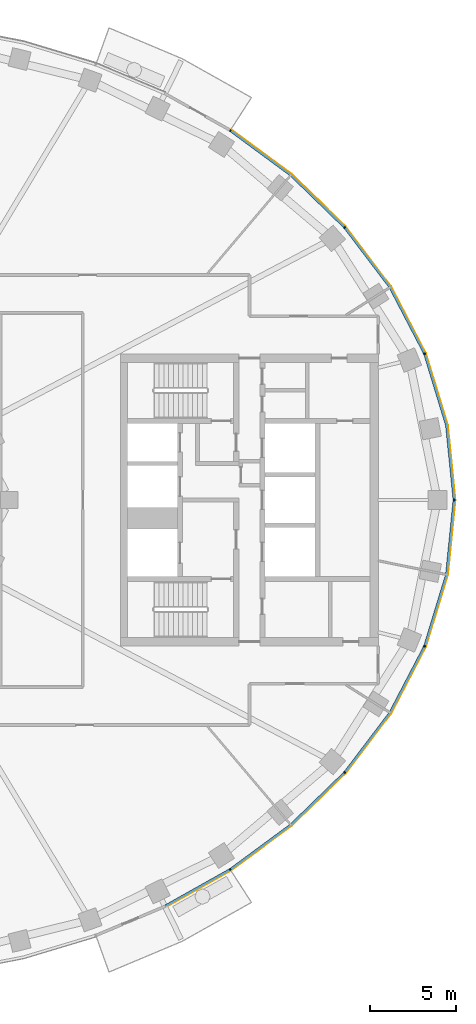
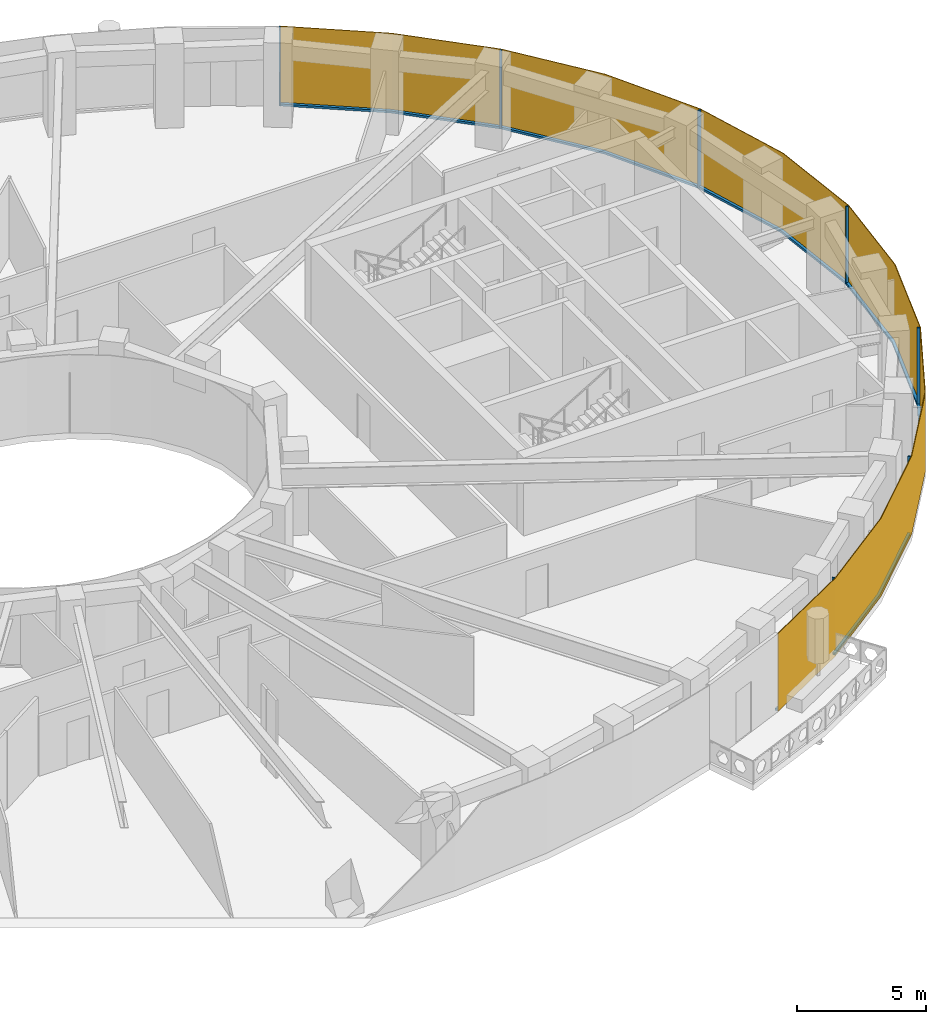
# One storey, part 11 of 15: 14 members, 1 curtain wall.
"""IFC4 building model written with IfcOpenShell, lengths in metres."""

import ifcopenshell
import ifcopenshell.guid

model = None  # the IFC model being written
_history = None  # IfcOwnerHistory: only IFC2X3 demands one
_inside = {}  # id of a spatial element -> (the spatial element, [elements in it])
_under = {}  # id of a project, library or spatial element -> (it, [spatial elements below it])
_declared = {}  # id of a project -> (the project, [libraries it declares])
_typed = {}  # id of a type object -> (the type object, [elements of that type])
_made_of = {}  # id of a material, layer set ... -> (it, [elements and type objects made of it])


def new_model(schema):
    """Start an empty IFC model of exactly this schema.

    Asked for "IFC4X3", IfcOpenShell would pick the latest addendum, in which some entities
    have other attributes; the version numbers below select the first issue.
    IFC2X3 requires an IfcOwnerHistory on every rooted entity: one is made here for all.
    """
    global model, _history
    if schema == "IFC4X3":
        model = ifcopenshell.file(schema_version=(4, 3, 0, 0))
    else:
        model = ifcopenshell.file(schema=schema)
    _inside.clear()
    _under.clear()
    _declared.clear()
    _typed.clear()
    _made_of.clear()
    _history = None
    if model.schema == "IFC2X3":
        org = make("IfcOrganization", Name="unknown")
        user = make(
            "IfcPersonAndOrganization",
            ThePerson=make("IfcPerson", FamilyName="unknown"),
            TheOrganization=org,
        )
        app = make(
            "IfcApplication",
            ApplicationDeveloper=org,
            Version="unknown",
            ApplicationFullName="unknown",
            ApplicationIdentifier="unknown",
        )
        _history = make(
            "IfcOwnerHistory",
            OwningUser=user,
            OwningApplication=app,
            ChangeAction="ADDED",
            CreationDate=0,
        )
    return model


def make(cls, **values):
    """One entity of the class cls with the attributes given. An attribute that is None is left unset."""
    return model.create_entity(
        cls, **{name: value for name, value in values.items() if value is not None}
    )


def rooted(cls, **values):
    """An entity with a GlobalId (a new one), such as an element, a storey or a relation."""
    return make(cls, GlobalId=ifcopenshell.guid.new(), OwnerHistory=_history, **values)


def si_unit(unit_type, name, prefix=None):
    """IfcSIUnit, for example si_unit("LENGTHUNIT", "METRE", prefix="MILLI")."""
    return make("IfcSIUnit", UnitType=unit_type, Prefix=prefix, Name=name)


def assignment(units):
    """IfcUnitAssignment: the units of a project."""
    return None if units is None else make("IfcUnitAssignment", Units=units)


def point(xyz):
    """IfcCartesianPoint."""
    return None if xyz is None else make("IfcCartesianPoint", Coordinates=xyz)


def direction(xyz):
    """IfcDirection."""
    return None if xyz is None else make("IfcDirection", DirectionRatios=xyz)


def frame(location, z_axis=None, x_axis=None):
    """IfcAxis2Placement3D, a coordinate frame: its origin and axes. An axis left out is left unset."""
    return make(
        "IfcAxis2Placement3D",
        Location=point(location),
        Axis=direction(z_axis),
        RefDirection=direction(x_axis),
    )


def frame_2d(location, x_axis=None):
    """IfcAxis2Placement2D, a coordinate frame in the plane: its origin and x axis."""
    return make(
        "IfcAxis2Placement2D", Location=point(location), RefDirection=direction(x_axis)
    )


def origin():
    """The frame at (0, 0, 0) with its axes left unset."""
    return frame((0.0, 0.0, 0.0))


def origin_2d():
    """The frame at (0, 0) in the plane with its x axis left unset."""
    return frame_2d((0.0, 0.0))


def place(relative_to, where):
    """IfcLocalPlacement: puts the frame where relative to a parent placement (None: the world)."""
    return make(
        "IfcLocalPlacement", PlacementRelTo=relative_to, RelativePlacement=where
    )


def context(
    kind, dimensions, precision=None, world=None, true_north=None, identifier=None
):
    """IfcGeometricRepresentationContext, for example the 3D "Model" context."""
    return make(
        "IfcGeometricRepresentationContext",
        ContextIdentifier=identifier,
        ContextType=kind,
        CoordinateSpaceDimension=dimensions,
        Precision=precision,
        WorldCoordinateSystem=world,
        TrueNorth=true_north,
    )


def subcontext(parent, identifier, kind, view, scale=None):
    """IfcGeometricRepresentationSubContext, for example "Body" below "Model"."""
    return make(
        "IfcGeometricRepresentationSubContext",
        ContextIdentifier=identifier,
        ContextType=kind,
        ParentContext=parent,
        TargetScale=scale,
        TargetView=view,
    )


def project(units=None, contexts=None):
    """IfcProject with its units and contexts."""
    return rooted(
        "IfcProject",
        Name="project",
        RepresentationContexts=contexts,
        UnitsInContext=assignment(units),
    )


def spatial(cls, under=None, at=None, **own):
    """A site, building, storey or space (cls), placed at a placement, below another one or the project."""
    s = rooted(cls, ObjectPlacement=at, **own)
    if under is not None:
        _under.setdefault(under.id(), (under, []))[1].append(s)
    return s


def polyline(points):
    """IfcPolyline through the points."""
    return make("IfcPolyline", Points=[point(p) for p in points])


def profile(cls, at=None, kind="AREA", **sizes):
    """A parametric profile (cls). Its sizes go by their IFC names, for example OverallWidth=200.0."""
    return make(cls, ProfileType=kind, Position=at, **sizes)


def rectangle(**sizes):
    """IfcRectangleProfileDef."""
    return profile("IfcRectangleProfileDef", **sizes)


def outline(outer, holes=None, kind="AREA"):
    """IfcArbitraryClosedProfileDef: a profile drawn as a closed curve; with holes, ...WithVoids."""
    if holes is None:
        return make("IfcArbitraryClosedProfileDef", ProfileType=kind, OuterCurve=outer)
    return make(
        "IfcArbitraryProfileDefWithVoids",
        ProfileType=kind,
        OuterCurve=outer,
        InnerCurves=holes,
    )


def extrude(swept, where, along, depth):
    """IfcExtrudedAreaSolid: the profile swept, set in the frame where, extruded along a direction by depth."""
    return make(
        "IfcExtrudedAreaSolid",
        SweptArea=swept,
        Position=where,
        ExtrudedDirection=direction(along),
        Depth=depth,
    )


def shape(context_of_items, identifier, shape_type, items):
    """IfcShapeRepresentation: the items that make up one representation, for example the "Body"."""
    return make(
        "IfcShapeRepresentation",
        ContextOfItems=context_of_items,
        RepresentationIdentifier=identifier,
        RepresentationType=shape_type,
        Items=items,
    )


def material(Name=None, Category=None):
    """IfcMaterial."""
    return make("IfcMaterial", Name=Name, Category=Category)


def layer(
    of_material, thickness, ventilated=None, Name=None, Category=None, Priority=None
):
    """IfcMaterialLayer: one layer of a wall or slab, of a material (None: an air gap)."""
    return make(
        "IfcMaterialLayer",
        Material=of_material,
        LayerThickness=thickness,
        IsVentilated=ventilated,
        Name=Name,
        Category=Category,
        Priority=Priority,
    )


def layer_set(layers, Name=None):
    """IfcMaterialLayerSet."""
    return make("IfcMaterialLayerSet", MaterialLayers=layers, LayerSetName=Name)


def material_profile(
    of_material, cross_section, Name=None, Category=None, Priority=None
):
    """IfcMaterialProfile: a cross section and its material."""
    return make(
        "IfcMaterialProfile",
        Name=Name,
        Material=of_material,
        Profile=cross_section,
        Priority=Priority,
        Category=Category,
    )


def profile_set(profiles, Name=None, composite=None):
    """IfcMaterialProfileSet."""
    return make(
        "IfcMaterialProfileSet",
        Name=Name,
        MaterialProfiles=profiles,
        CompositeProfile=composite,
    )


def made_of(thing, what):
    """Note that an element or type object is made of a material, layer set ...; save() writes the relation."""
    if what is not None:
        _made_of.setdefault(what.id(), (what, []))[1].append(thing)
    return thing


def type_object(cls, material=None, **own):
    """A type object (cls), such as IfcWallType, which elements share."""
    return made_of(rooted(cls, **own), material)


def element(
    cls,
    number,
    at=None,
    inside=None,
    cuts=None,
    type_object=None,
    material=None,
    context=None,
    identifier="Body",
    shape_type=None,
    held_by="IfcProductDefinitionShape",
    body=None,
    shapes=None,
    **own,
):
    """One element of the class cls, such as IfcWall. Its Tag is "e" and its number.

    at: its placement. inside: the storey or other place that contains it. cuts: it is an
    opening in that element (IfcRelVoidsElement). A single representation is given by context,
    identifier, shape_type and body (its items); several are given by shapes. held_by: the class
    of the entity that holds the representations. save() writes the other relations.
    """
    e = rooted(cls, Tag="e%d" % number, ObjectPlacement=at, **own)
    if body is not None:
        shapes = [shape(context, identifier, shape_type, body)]
    if shapes is not None:
        e.Representation = make(held_by, Representations=shapes)
    if inside is not None:
        _inside.setdefault(inside.id(), (inside, []))[1].append(e)
    if cuts is not None:
        rooted(
            "IfcRelVoidsElement", RelatingBuildingElement=cuts, RelatedOpeningElement=e
        )
    if type_object is not None:
        _typed.setdefault(type_object.id(), (type_object, []))[1].append(e)
    return made_of(e, material)


def aggregate(whole, parts):
    """IfcRelAggregates: a whole, such as a stair, and the parts it consists of."""
    return rooted("IfcRelAggregates", RelatingObject=whole, RelatedObjects=parts)


def save(model, path):
    """Write the relations noted so far, then the file.

    IfcRelAggregates (storeys below a building ...), IfcRelContainedInSpatialStructure (elements
    in a storey), IfcRelDefinesByType, IfcRelAssociatesMaterial and IfcRelDeclares: one each for
    every whole, place, type object, material and project.
    """
    for whole, parts in _under.values():
        aggregate(whole, parts)
    for where, things in _inside.values():
        rooted(
            "IfcRelContainedInSpatialStructure",
            RelatedElements=things,
            RelatingStructure=where,
        )
    for kind, things in _typed.values():
        rooted("IfcRelDefinesByType", RelatedObjects=things, RelatingType=kind)
    for what, things in _made_of.values():
        rooted("IfcRelAssociatesMaterial", RelatedObjects=things, RelatingMaterial=what)
    for by, libraries in _declared.values():
        rooted("IfcRelDeclares", RelatingContext=by, RelatedDefinitions=libraries)
    model.write(path)


model = new_model("IFC4")

# Units and contexts
model_context = context("Model", 3, precision=1e-05, world=origin(), true_north=direction((0.0, 1.0)))
body_context = subcontext(model_context, "Body", "Model", "MODEL_VIEW")
ifc_project = project(units=[si_unit("LENGTHUNIT", "METRE"), si_unit("AREAUNIT", "SQUARE_METRE"), si_unit("VOLUMEUNIT", "CUBIC_METRE"), si_unit("PLANEANGLEUNIT", "RADIAN"), si_unit("MASSUNIT", "GRAM", prefix="KILO")], contexts=[model_context])

# Member
ifc_material_1 = material(Name="Aluminium 6063-T6 black anodised", Category="aluminium")
ifc_material_profile = material_profile(ifc_material_1, rectangle(XDim=0.1201171875, YDim=0.06005859375, at=origin_2d()), Name="120x60")
ifc_profile_set = profile_set([ifc_material_profile], Name="Aluminium 6063-T6 black anodised")
member_type_1 = type_object("IfcMemberType", Name="ENV-MULLION-A-120", PredefinedType="MULLION", material=ifc_profile_set)
site_placement = place(None, origin())
building_placement = place(site_placement, origin())
storey_placement = place(building_placement, frame((0.0, 0.0, 241.5)))
member_1_placement = place(storey_placement, frame((22.882568359375, -21.506591796875, 0.0), z_axis=(0.0, 0.0, 1.0), x_axis=(-0.542279153225, 0.840198381323, 0.0)))
member_1 = element("IfcMember", 1, at=member_1_placement, type_object=member_type_1, Name="Mullion A radial 41", PredefinedType="MULLION", context=body_context, shape_type="SweptSolid", body=[
    extrude(rectangle(XDim=0.1201171875, YDim=0.06005859375, at=origin_2d()), origin(), (0.0, 0.0, 1.0), 3.699951171875),
])

member_2_placement = place(storey_placement, frame((29.53857421875, -15.8671875, 0.0), z_axis=(0.0, 0.0, 1.0), x_axis=(-0.749047221705, 0.662516610853, 0.0)))
member_2 = element("IfcMember", 2, at=member_2_placement, type_object=member_type_1, Name="Mullion A radial 43", PredefinedType="MULLION", context=body_context, shape_type="SweptSolid", body=[
    extrude(rectangle(XDim=0.1201171875, YDim=0.06005859375, at=origin_2d()), origin(), (0.0, 0.0, 1.0), 3.699951171875),
])

member_3_placement = place(storey_placement, frame((34.19580078125, -8.513916015625, 0.0), z_axis=(0.0, 0.0, 1.0), x_axis=(-0.92546738067, 0.378827305398, 0.0)))
member_3 = element("IfcMember", 3, at=member_3_placement, type_object=member_type_1, Name="Mullion A radial 45", PredefinedType="MULLION", context=body_context, shape_type="SweptSolid", body=[
    extrude(rectangle(XDim=0.1201171875, YDim=0.06005859375, at=origin_2d()), origin(), (0.0, 0.0, 1.0), 3.699951171875),
])

member_4_placement = place(storey_placement, frame((35.907958984375, 0.0, 0.0), z_axis=(0.0, 0.0, 1.0), x_axis=(-1.0, 0.0, 0.0)))
member_4 = element("IfcMember", 4, at=member_4_placement, type_object=member_type_1, Name="Mullion A radial 01", PredefinedType="MULLION", context=body_context, shape_type="SweptSolid", body=[
    extrude(rectangle(XDim=0.1201171875, YDim=0.06005859375, at=origin_2d()), origin(), (0.0, 0.0, 1.0), 3.699951171875),
])

member_5_placement = place(storey_placement, frame((34.19580078125, 8.513916015625, 0.0), z_axis=(0.0, 0.0, 1.0), x_axis=(-0.92546738067, -0.378827305398, 0.0)))
member_5 = element("IfcMember", 5, at=member_5_placement, type_object=member_type_1, Name="Mullion A radial 03", PredefinedType="MULLION", context=body_context, shape_type="SweptSolid", body=[
    extrude(rectangle(XDim=0.1201171875, YDim=0.06005859375, at=origin_2d()), origin(), (0.0, 0.0, 1.0), 3.699951171875),
])

member_6_placement = place(storey_placement, frame((29.53857421875, 15.8671875, 0.0), z_axis=(0.0, 0.0, 1.0), x_axis=(-0.749047221705, -0.662516610853, 0.0)))
member_6 = element("IfcMember", 6, at=member_6_placement, type_object=member_type_1, Name="Mullion A radial 05", PredefinedType="MULLION", context=body_context, shape_type="SweptSolid", body=[
    extrude(rectangle(XDim=0.1201171875, YDim=0.06005859375, at=origin_2d()), origin(), (0.0, 0.0, 1.0), 3.699951171875),
])

member_7_placement = place(storey_placement, frame((22.882568359375, 21.506591796875, 0.0), z_axis=(0.0, 0.0, 1.0), x_axis=(-0.542279153225, -0.840198381323, 0.0)))
member_7 = element("IfcMember", 7, at=member_7_placement, type_object=member_type_1, Name="Mullion A radial 07", PredefinedType="MULLION", context=body_context, shape_type="SweptSolid", body=[
    extrude(rectangle(XDim=0.1201171875, YDim=0.06005859375, at=origin_2d()), origin(), (0.0, 0.0, 1.0), 3.699951171875),
])

ifc_material_2 = material(Name="Aluminium 6063-T6 black anodised", Category="aluminium")
member_type_2 = type_object("IfcMemberType", Name="ENV-TRANSOM-A", PredefinedType="USERDEFINED", material=ifc_material_2)
member_8_placement = place(storey_placement, origin())
member_8 = element("IfcMember", 8, at=member_8_placement, type_object=member_type_2, Name="Transom A radial 40-41", ObjectType="TRANSOM", PredefinedType="USERDEFINED", context=body_context, shape_type="SweptSolid", body=[
    extrude(outline(polyline([(19.111572265625, -23.691650390625), (22.890625, -21.570556640625), (22.825439453125, -21.469482421875), (19.058837890625, -23.58349609375), (19.111572265625, -23.691650390625)])), origin(), (0.0, 0.0, 1.0), 0.10009765625),
])

member_9_placement = place(storey_placement, origin())
member_9 = element("IfcMember", 9, at=member_9_placement, type_object=member_type_2, Name="Transom A radial 41-43", ObjectType="TRANSOM", PredefinedType="USERDEFINED", context=body_context, shape_type="SweptSolid", body=[
    extrude(outline(polyline([(22.937744140625, -21.540283203125), (26.4423828125, -18.958740234375), (29.5634765625, -15.926513671875), (29.473388671875, -15.8466796875), (26.364501953125, -18.866943359375), (22.87255859375, -21.439208984375), (22.937744140625, -21.540283203125)])), origin(), (0.0, 0.0, 1.0), 0.10009765625),
])

member_10_placement = place(storey_placement, origin())
member_10 = element("IfcMember", 10, at=member_10_placement, type_object=member_type_2, Name="Transom A radial 43-45", ObjectType="TRANSOM", PredefinedType="USERDEFINED", context=body_context, shape_type="SweptSolid", body=[
    extrude(outline(polyline([(29.6005859375, -15.884521484375), (32.22802734375, -12.41748046875), (34.23828125, -8.5615234375), (34.126708984375, -8.515869140625), (32.126220703125, -12.35302734375), (29.51025390625, -15.8046875), (29.6005859375, -15.884521484375)])), origin(), (0.0, 0.0, 1.0), 0.10009765625),
])

member_11_placement = place(storey_placement, origin())
member_11 = element("IfcMember", 11, at=member_11_placement, type_object=member_type_2, Name="Transom A radial 45-01", ObjectType="TRANSOM", PredefinedType="USERDEFINED", context=body_context, shape_type="SweptSolid", body=[
    extrude(outline(polyline([(34.259521484375, -8.509765625), (35.529541015625, -4.352294921875), (35.965087890625, -0.02783203125), (35.844482421875, -0.02783203125), (35.411376953125, -4.32861328125), (34.14794921875, -8.464111328125), (34.259521484375, -8.509765625)])), origin(), (0.0, 0.0, 1.0), 0.10009765625),
])

member_12_placement = place(storey_placement, origin())
member_12 = element("IfcMember", 12, at=member_12_placement, type_object=member_type_2, Name="Transom A radial 01-03", ObjectType="TRANSOM", PredefinedType="USERDEFINED", context=body_context, shape_type="SweptSolid", body=[
    extrude(outline(polyline([(35.965087890625, 0.02783203125), (35.529541015625, 4.352294921875), (34.259521484375, 8.509765625), (34.14794921875, 8.464111328125), (35.411376953125, 4.32861328125), (35.844482421875, 0.02783203125), (35.965087890625, 0.02783203125)])), origin(), (0.0, 0.0, 1.0), 0.10009765625),
])

member_13_placement = place(storey_placement, origin())
member_13 = element("IfcMember", 13, at=member_13_placement, type_object=member_type_2, Name="Transom A radial 03-05", ObjectType="TRANSOM", PredefinedType="USERDEFINED", context=body_context, shape_type="SweptSolid", body=[
    extrude(outline(polyline([(34.23828125, 8.5615234375), (32.22802734375, 12.41748046875), (29.6005859375, 15.884521484375), (29.51025390625, 15.8046875), (32.126220703125, 12.35302734375), (34.126708984375, 8.515869140625), (34.23828125, 8.5615234375)])), origin(), (0.0, 0.0, 1.0), 0.10009765625),
])

member_14_placement = place(storey_placement, origin())
member_14 = element("IfcMember", 14, at=member_14_placement, type_object=member_type_2, Name="Transom A radial 05-07", ObjectType="TRANSOM", PredefinedType="USERDEFINED", context=body_context, shape_type="SweptSolid", body=[
    extrude(outline(polyline([(29.5634765625, 15.926513671875), (26.4423828125, 18.958740234375), (22.937744140625, 21.540283203125), (22.87255859375, 21.439208984375), (26.364501953125, 18.866943359375), (29.473388671875, 15.8466796875), (29.5634765625, 15.926513671875)])), origin(), (0.0, 0.0, 1.0), 0.10009765625),
])

# Site, building, storey
site = spatial("IfcSite", under=ifc_project, at=site_placement, CompositionType="ELEMENT")
building = spatial("IfcBuilding", under=site, at=building_placement, Name="Noorbagh Ring Tower", CompositionType="ELEMENT")
storey = spatial("IfcBuildingStorey", under=building, at=storey_placement, Name="L50", CompositionType="ELEMENT", Elevation=241.5)

# Curtain wall
ifc_material_3 = material(Name="Glass dark tinted laminated", Category="glass")
ifc_layer = layer(ifc_material_3, 0.031982421875)
ifc_layer_set = layer_set([ifc_layer], Name="Glass dark tinted laminated")
curtain_wall_type = type_object("IfcCurtainWallType", Name="ENV-CW-A", PredefinedType="NOTDEFINED", material=ifc_layer_set)
curtain_wall_placement = place(storey_placement, origin())
curtain_wall = element("IfcCurtainWall", 15, at=curtain_wall_placement, inside=storey, type_object=curtain_wall_type, Name="Curtain wall A R40", PredefinedType="NOTDEFINED", context=body_context, shape_type="SweptSolid", body=[
    extrude(outline(polyline([(19.125732421875, -23.720458984375), (22.9326171875, -21.583740234375), (26.463134765625, -18.9833984375), (29.607666015625, -15.927978515625), (32.255126953125, -12.434814453125), (34.281005859375, -8.548828125), (35.561279296875, -4.358642578125), (36.0, 0.0), (35.561279296875, 4.358642578125), (34.281005859375, 8.548828125), (32.255126953125, 12.434814453125), (29.607666015625, 15.927978515625), (26.463134765625, 18.9833984375), (22.948486328125, 21.572021484375), (22.931396484375, 21.544921875), (26.4423828125, 18.958740234375), (29.58349609375, 15.906982421875), (32.22802734375, 12.41748046875), (34.251220703125, 8.53662109375), (35.529541015625, 4.352294921875), (35.9677734375, 0.0), (35.529541015625, -4.352294921875), (34.251220703125, -8.53662109375), (32.22802734375, -12.41748046875), (29.58349609375, -15.906982421875), (26.4423828125, -18.958740234375), (22.9150390625, -21.556884765625), (19.111572265625, -23.691650390625), (19.125732421875, -23.720458984375)])), origin(), (0.0, 0.0, 1.0), 3.699951171875),
])

aggregate(curtain_wall, [member_1, member_2, member_3, member_4, member_5, member_6, member_7, member_8, member_9, member_10, member_11, member_12, member_13, member_14])

save(model, "model.ifc")
